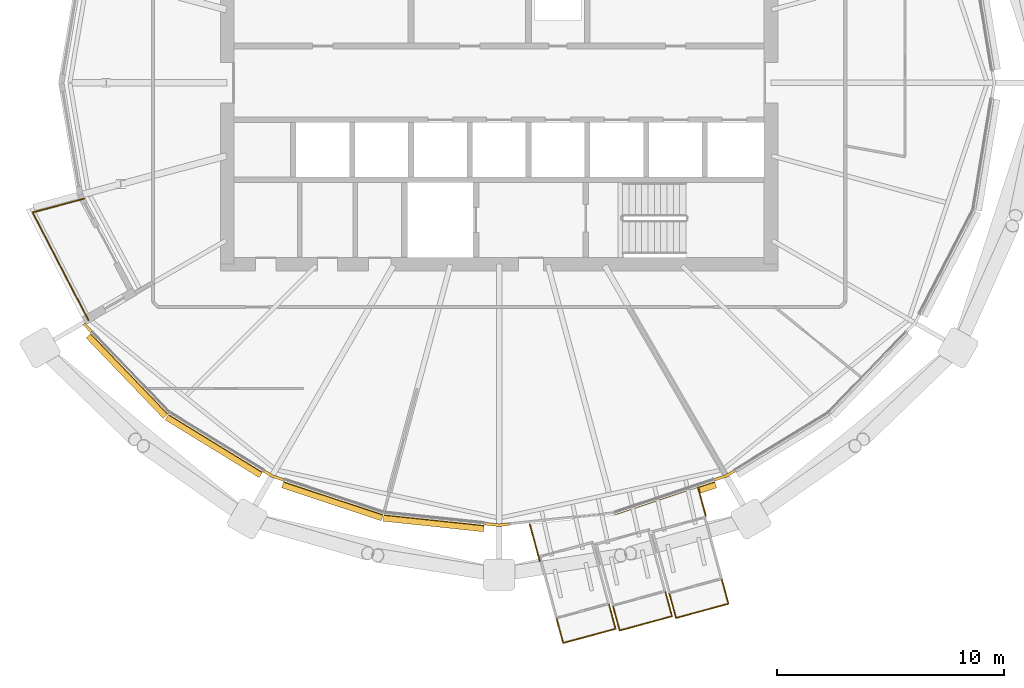
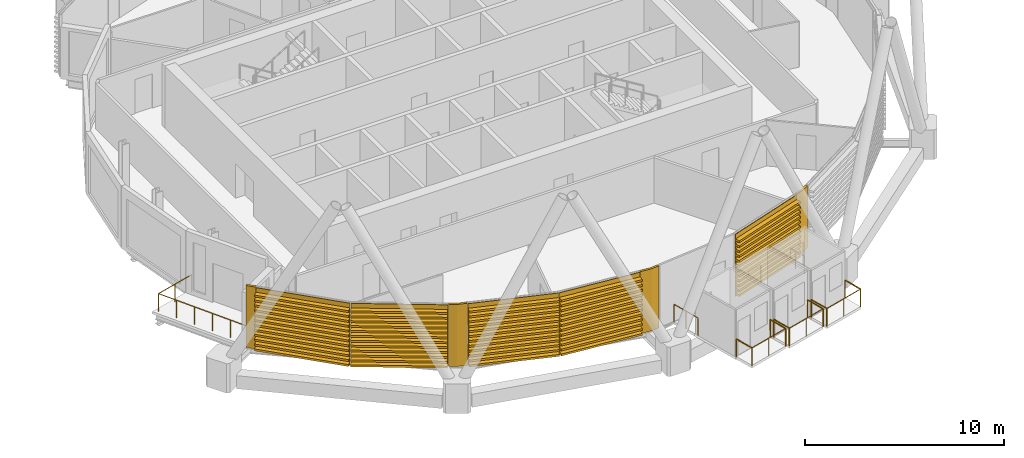
# One storey, part 30 of 35: 12 railings, 9 coverings.
"""IFC4 building model written with IfcOpenShell, lengths in metres."""

import ifcopenshell
import ifcopenshell.guid

model = None  # the IFC model being written
_history = None  # IfcOwnerHistory: only IFC2X3 demands one
_inside = {}  # id of a spatial element -> (the spatial element, [elements in it])
_under = {}  # id of a project, library or spatial element -> (it, [spatial elements below it])
_declared = {}  # id of a project -> (the project, [libraries it declares])
_typed = {}  # id of a type object -> (the type object, [elements of that type])
_made_of = {}  # id of a material, layer set ... -> (it, [elements and type objects made of it])


def new_model(schema):
    """Start an empty IFC model of exactly this schema.

    Asked for "IFC4X3", IfcOpenShell would pick the latest addendum, in which some entities
    have other attributes; the version numbers below select the first issue.
    IFC2X3 requires an IfcOwnerHistory on every rooted entity: one is made here for all.
    """
    global model, _history
    if schema == "IFC4X3":
        model = ifcopenshell.file(schema_version=(4, 3, 0, 0))
    else:
        model = ifcopenshell.file(schema=schema)
    _inside.clear()
    _under.clear()
    _declared.clear()
    _typed.clear()
    _made_of.clear()
    _history = None
    if model.schema == "IFC2X3":
        org = make("IfcOrganization", Name="unknown")
        user = make(
            "IfcPersonAndOrganization",
            ThePerson=make("IfcPerson", FamilyName="unknown"),
            TheOrganization=org,
        )
        app = make(
            "IfcApplication",
            ApplicationDeveloper=org,
            Version="unknown",
            ApplicationFullName="unknown",
            ApplicationIdentifier="unknown",
        )
        _history = make(
            "IfcOwnerHistory",
            OwningUser=user,
            OwningApplication=app,
            ChangeAction="ADDED",
            CreationDate=0,
        )
    return model


def make(cls, **values):
    """One entity of the class cls with the attributes given. An attribute that is None is left unset."""
    return model.create_entity(
        cls, **{name: value for name, value in values.items() if value is not None}
    )


def rooted(cls, **values):
    """An entity with a GlobalId (a new one), such as an element, a storey or a relation."""
    return make(cls, GlobalId=ifcopenshell.guid.new(), OwnerHistory=_history, **values)


def si_unit(unit_type, name, prefix=None):
    """IfcSIUnit, for example si_unit("LENGTHUNIT", "METRE", prefix="MILLI")."""
    return make("IfcSIUnit", UnitType=unit_type, Prefix=prefix, Name=name)


def assignment(units):
    """IfcUnitAssignment: the units of a project."""
    return None if units is None else make("IfcUnitAssignment", Units=units)


def point(xyz):
    """IfcCartesianPoint."""
    return None if xyz is None else make("IfcCartesianPoint", Coordinates=xyz)


def direction(xyz):
    """IfcDirection."""
    return None if xyz is None else make("IfcDirection", DirectionRatios=xyz)


def frame(location, z_axis=None, x_axis=None):
    """IfcAxis2Placement3D, a coordinate frame: its origin and axes. An axis left out is left unset."""
    return make(
        "IfcAxis2Placement3D",
        Location=point(location),
        Axis=direction(z_axis),
        RefDirection=direction(x_axis),
    )


def frame_2d(location, x_axis=None):
    """IfcAxis2Placement2D, a coordinate frame in the plane: its origin and x axis."""
    return make(
        "IfcAxis2Placement2D", Location=point(location), RefDirection=direction(x_axis)
    )


def origin():
    """The frame at (0, 0, 0) with its axes left unset."""
    return frame((0.0, 0.0, 0.0))


def origin_2d():
    """The frame at (0, 0) in the plane with its x axis left unset."""
    return frame_2d((0.0, 0.0))


def place(relative_to, where):
    """IfcLocalPlacement: puts the frame where relative to a parent placement (None: the world)."""
    return make(
        "IfcLocalPlacement", PlacementRelTo=relative_to, RelativePlacement=where
    )


def context(
    kind, dimensions, precision=None, world=None, true_north=None, identifier=None
):
    """IfcGeometricRepresentationContext, for example the 3D "Model" context."""
    return make(
        "IfcGeometricRepresentationContext",
        ContextIdentifier=identifier,
        ContextType=kind,
        CoordinateSpaceDimension=dimensions,
        Precision=precision,
        WorldCoordinateSystem=world,
        TrueNorth=true_north,
    )


def subcontext(parent, identifier, kind, view, scale=None):
    """IfcGeometricRepresentationSubContext, for example "Body" below "Model"."""
    return make(
        "IfcGeometricRepresentationSubContext",
        ContextIdentifier=identifier,
        ContextType=kind,
        ParentContext=parent,
        TargetScale=scale,
        TargetView=view,
    )


def project(units=None, contexts=None):
    """IfcProject with its units and contexts."""
    return rooted(
        "IfcProject",
        Name="project",
        RepresentationContexts=contexts,
        UnitsInContext=assignment(units),
    )


def spatial(cls, under=None, at=None, **own):
    """A site, building, storey or space (cls), placed at a placement, below another one or the project."""
    s = rooted(cls, ObjectPlacement=at, **own)
    if under is not None:
        _under.setdefault(under.id(), (under, []))[1].append(s)
    return s


def polyline(points):
    """IfcPolyline through the points."""
    return make("IfcPolyline", Points=[point(p) for p in points])


def profile(cls, at=None, kind="AREA", **sizes):
    """A parametric profile (cls). Its sizes go by their IFC names, for example OverallWidth=200.0."""
    return make(cls, ProfileType=kind, Position=at, **sizes)


def circle(**sizes):
    """IfcCircleProfileDef."""
    return profile("IfcCircleProfileDef", **sizes)


def outline(outer, holes=None, kind="AREA"):
    """IfcArbitraryClosedProfileDef: a profile drawn as a closed curve; with holes, ...WithVoids."""
    if holes is None:
        return make("IfcArbitraryClosedProfileDef", ProfileType=kind, OuterCurve=outer)
    return make(
        "IfcArbitraryProfileDefWithVoids",
        ProfileType=kind,
        OuterCurve=outer,
        InnerCurves=holes,
    )


def extrude(swept, where, along, depth):
    """IfcExtrudedAreaSolid: the profile swept, set in the frame where, extruded along a direction by depth."""
    return make(
        "IfcExtrudedAreaSolid",
        SweptArea=swept,
        Position=where,
        ExtrudedDirection=direction(along),
        Depth=depth,
    )


def shape(context_of_items, identifier, shape_type, items):
    """IfcShapeRepresentation: the items that make up one representation, for example the "Body"."""
    return make(
        "IfcShapeRepresentation",
        ContextOfItems=context_of_items,
        RepresentationIdentifier=identifier,
        RepresentationType=shape_type,
        Items=items,
    )


def material(Name=None, Category=None):
    """IfcMaterial."""
    return make("IfcMaterial", Name=Name, Category=Category)


def layer(
    of_material, thickness, ventilated=None, Name=None, Category=None, Priority=None
):
    """IfcMaterialLayer: one layer of a wall or slab, of a material (None: an air gap)."""
    return make(
        "IfcMaterialLayer",
        Material=of_material,
        LayerThickness=thickness,
        IsVentilated=ventilated,
        Name=Name,
        Category=Category,
        Priority=Priority,
    )


def layer_set(layers, Name=None):
    """IfcMaterialLayerSet."""
    return make("IfcMaterialLayerSet", MaterialLayers=layers, LayerSetName=Name)


def material_profile(
    of_material, cross_section, Name=None, Category=None, Priority=None
):
    """IfcMaterialProfile: a cross section and its material."""
    return make(
        "IfcMaterialProfile",
        Name=Name,
        Material=of_material,
        Profile=cross_section,
        Priority=Priority,
        Category=Category,
    )


def profile_set(profiles, Name=None, composite=None):
    """IfcMaterialProfileSet."""
    return make(
        "IfcMaterialProfileSet",
        Name=Name,
        MaterialProfiles=profiles,
        CompositeProfile=composite,
    )


def made_of(thing, what):
    """Note that an element or type object is made of a material, layer set ...; save() writes the relation."""
    if what is not None:
        _made_of.setdefault(what.id(), (what, []))[1].append(thing)
    return thing


def type_object(cls, material=None, **own):
    """A type object (cls), such as IfcWallType, which elements share."""
    return made_of(rooted(cls, **own), material)


def element(
    cls,
    number,
    at=None,
    inside=None,
    cuts=None,
    type_object=None,
    material=None,
    context=None,
    identifier="Body",
    shape_type=None,
    held_by="IfcProductDefinitionShape",
    body=None,
    shapes=None,
    **own,
):
    """One element of the class cls, such as IfcWall. Its Tag is "e" and its number.

    at: its placement. inside: the storey or other place that contains it. cuts: it is an
    opening in that element (IfcRelVoidsElement). A single representation is given by context,
    identifier, shape_type and body (its items); several are given by shapes. held_by: the class
    of the entity that holds the representations. save() writes the other relations.
    """
    e = rooted(cls, Tag="e%d" % number, ObjectPlacement=at, **own)
    if body is not None:
        shapes = [shape(context, identifier, shape_type, body)]
    if shapes is not None:
        e.Representation = make(held_by, Representations=shapes)
    if inside is not None:
        _inside.setdefault(inside.id(), (inside, []))[1].append(e)
    if cuts is not None:
        rooted(
            "IfcRelVoidsElement", RelatingBuildingElement=cuts, RelatedOpeningElement=e
        )
    if type_object is not None:
        _typed.setdefault(type_object.id(), (type_object, []))[1].append(e)
    return made_of(e, material)


def aggregate(whole, parts):
    """IfcRelAggregates: a whole, such as a stair, and the parts it consists of."""
    return rooted("IfcRelAggregates", RelatingObject=whole, RelatedObjects=parts)


def save(model, path):
    """Write the relations noted so far, then the file.

    IfcRelAggregates (storeys below a building ...), IfcRelContainedInSpatialStructure (elements
    in a storey), IfcRelDefinesByType, IfcRelAssociatesMaterial and IfcRelDeclares: one each for
    every whole, place, type object, material and project.
    """
    for whole, parts in _under.values():
        aggregate(whole, parts)
    for where, things in _inside.values():
        rooted(
            "IfcRelContainedInSpatialStructure",
            RelatedElements=things,
            RelatingStructure=where,
        )
    for kind, things in _typed.values():
        rooted("IfcRelDefinesByType", RelatedObjects=things, RelatingType=kind)
    for what, things in _made_of.values():
        rooted("IfcRelAssociatesMaterial", RelatedObjects=things, RelatingMaterial=what)
    for by, libraries in _declared.values():
        rooted("IfcRelDeclares", RelatingContext=by, RelatedDefinitions=libraries)
    model.write(path)


model = new_model("IFC4")

# Units and contexts
model_context = context("Model", 3, precision=1e-05, world=origin(), true_north=direction((0.0, 1.0)))
body_context = subcontext(model_context, "Body", "Model", "MODEL_VIEW")
ifc_project = project(units=[si_unit("LENGTHUNIT", "METRE"), si_unit("AREAUNIT", "SQUARE_METRE"), si_unit("VOLUMEUNIT", "CUBIC_METRE"), si_unit("PLANEANGLEUNIT", "RADIAN"), si_unit("MASSUNIT", "GRAM", prefix="KILO")], contexts=[model_context])

# Site, building, storey
site_placement = place(None, origin())
site = spatial("IfcSite", under=ifc_project, at=site_placement, CompositionType="ELEMENT")
building_placement = place(site_placement, origin())
building = spatial("IfcBuilding", under=site, at=building_placement, Name="Rimbun Link Towers", CompositionType="ELEMENT")
storey_placement = place(building_placement, frame((0.0, 0.0, 181.699951171875)))
storey = spatial("IfcBuildingStorey", under=building, at=storey_placement, Name="L44", CompositionType="ELEMENT", Elevation=181.699951171875)

# Railings
ifc_material_1 = material(Name="Stainless steel grade 316", Category="steel")
railing_type = type_object("IfcRailingType", Name="GUARD stainless rail and posts", PredefinedType="GUARDRAIL", material=ifc_material_1)
railing_1_placement = place(storey_placement, frame((-50.06787109375, -5.115234375, 0.0)))
element("IfcRailing", 1, at=railing_1_placement, inside=storey, type_object=railing_type, Name="GUARD", PredefinedType="GUARDRAIL", context=body_context, shape_type="SweptSolid", body=[
    extrude(circle(Radius=0.02392578125, at=origin_2d()), frame((0.0, 0.0, 1.076171875), z_axis=(-0.965918852207, -0.258845071327, 0.0), x_axis=(0.258845071327, -0.965918852207, 0.0)), (0.0, 0.0, 1.0), 2.351318359375),
    extrude(circle(Radius=0.02392578125, at=origin_2d()), frame((-2.271240234375, -0.608642578125, 1.076171875), z_axis=(0.45954079572, -0.888156662458, 0.0), x_axis=(0.888156662458, 0.45954079572, 0.0)), (0.0, 0.0, 1.0), 5.3525390625),
    extrude(circle(Radius=0.02099609375, at=origin_2d()), origin(), (0.0, 0.0, 1.0), 1.052001953125),
    extrude(circle(Radius=0.02099609375, at=origin_2d()), frame((-1.1357421875, -0.30419921875, 0.0)), (0.0, 0.0, 1.0), 1.052001953125),
    extrude(circle(Radius=0.02099609375, at=origin_2d()), frame((-2.271240234375, -0.608642578125, 0.0)), (0.0, 0.0, 1.0), 1.052001953125),
    extrude(circle(Radius=0.02099609375, at=origin_2d()), frame((-1.779296875, -1.559326171875, 0.0)), (0.0, 0.0, 1.0), 1.052001953125),
    extrude(circle(Radius=0.02099609375, at=origin_2d()), frame((-1.287353515625, -2.51025390625, 0.0)), (0.0, 0.0, 1.0), 1.052001953125),
    extrude(circle(Radius=0.02099609375, at=origin_2d()), frame((-0.79541015625, -3.4609375, 0.0)), (0.0, 0.0, 1.0), 1.052001953125),
    extrude(circle(Radius=0.02099609375, at=origin_2d()), frame((-0.303466796875, -4.411865234375, 0.0)), (0.0, 0.0, 1.0), 1.052001953125),
    extrude(circle(Radius=0.02099609375, at=origin_2d()), frame((0.1884765625, -5.362548828125, 0.0)), (0.0, 0.0, 1.0), 1.052001953125),
])
railing_2_placement = place(storey_placement, frame((-24.233154296875, -22.56103515625, 0.0)))
element("IfcRailing", 2, at=railing_2_placement, inside=storey, type_object=railing_type, Name="GUARD D441.01 balcony", PredefinedType="GUARDRAIL", context=body_context, shape_type="SweptSolid", body=[
    extrude(circle(Radius=0.02392578125, at=origin_2d()), frame((0.0, 0.0, 1.076171875), z_axis=(0.261915191828, -0.965090893279, 0.0), x_axis=(0.965090893279, 0.261915191828, 0.0)), (0.0, 0.0, 1.0), 1.099853515625),
    extrude(circle(Radius=0.02099609375, at=origin_2d()), origin(), (0.0, 0.0, 1.0), 1.052001953125),
    extrude(circle(Radius=0.02099609375, at=origin_2d()), frame((0.2880859375, -1.0615234375, 0.0)), (0.0, 0.0, 1.0), 1.052001953125),
])
railing_3_placement = place(storey_placement, frame((-23.945068359375, -23.62255859375, 0.0)))
element("IfcRailing", 3, at=railing_3_placement, inside=storey, type_object=railing_type, Name="GUARD D441.01 balcony", PredefinedType="GUARDRAIL", context=body_context, shape_type="SweptSolid", body=[
    extrude(circle(Radius=0.02392578125, at=origin_2d()), frame((0.0, 0.0, 1.076171875), z_axis=(0.965108089312, 0.261851820585, 0.0), x_axis=(-0.261851820585, 0.965108089312, 0.0)), (0.0, 0.0, 1.0), 2.39990234375),
    extrude(circle(Radius=0.02099609375, at=origin_2d()), origin(), (0.0, 0.0, 1.0), 1.052001953125),
    extrude(circle(Radius=0.02099609375, at=origin_2d()), frame((1.158203125, 0.314208984375, 0.0)), (0.0, 0.0, 1.0), 1.052001953125),
    extrude(circle(Radius=0.02099609375, at=origin_2d()), frame((2.316162109375, 0.62841796875, 0.0)), (0.0, 0.0, 1.0), 1.052001953125),
])
railing_4_placement = place(storey_placement, frame((-21.62890625, -22.994140625, 0.0)))
element("IfcRailing", 4, at=railing_4_placement, inside=storey, type_object=railing_type, Name="GUARD D441.01 balcony", PredefinedType="GUARDRAIL", context=body_context, shape_type="SweptSolid", body=[
    extrude(circle(Radius=0.02392578125, at=origin_2d()), frame((0.0, 0.0, 1.076171875), z_axis=(-0.261915191828, 0.965090893279, 0.0), x_axis=(-0.965090893279, -0.261915191828, 0.0)), (0.0, 0.0, 1.0), 1.099853515625),
    extrude(circle(Radius=0.02099609375, at=origin_2d()), origin(), (0.0, 0.0, 1.0), 1.052001953125),
    extrude(circle(Radius=0.02099609375, at=origin_2d()), frame((-0.2880859375, 1.0615234375, 0.0)), (0.0, 0.0, 1.0), 1.052001953125),
])
railing_5_placement = place(storey_placement, frame((-26.72265625, -23.11328125, 0.0)))
element("IfcRailing", 5, at=railing_5_placement, inside=storey, type_object=railing_type, Name="GUARD D441.02 balcony", PredefinedType="GUARDRAIL", context=body_context, shape_type="SweptSolid", body=[
    extrude(circle(Radius=0.02392578125, at=origin_2d()), frame((0.0, 0.0, 1.076171875), z_axis=(0.261915191828, -0.965090893279, 0.0), x_axis=(0.965090893279, 0.261915191828, 0.0)), (0.0, 0.0, 1.0), 1.099853515625),
    extrude(circle(Radius=0.02099609375, at=origin_2d()), origin(), (0.0, 0.0, 1.0), 1.052001953125),
    extrude(circle(Radius=0.02099609375, at=origin_2d()), frame((0.2880859375, -1.0615234375, 0.0)), (0.0, 0.0, 1.0), 1.052001953125),
])
railing_6_placement = place(storey_placement, frame((-26.4345703125, -24.1748046875, 0.0)))
element("IfcRailing", 6, at=railing_6_placement, inside=storey, type_object=railing_type, Name="GUARD D441.02 balcony", PredefinedType="GUARDRAIL", context=body_context, shape_type="SweptSolid", body=[
    extrude(circle(Radius=0.02392578125, at=origin_2d()), frame((0.0, 0.0, 1.076171875), z_axis=(0.965108089312, 0.261851820585, 0.0), x_axis=(-0.261851820585, 0.965108089312, 0.0)), (0.0, 0.0, 1.0), 2.39990234375),
    extrude(circle(Radius=0.02099609375, at=origin_2d()), origin(), (0.0, 0.0, 1.0), 1.052001953125),
    extrude(circle(Radius=0.02099609375, at=origin_2d()), frame((1.158203125, 0.314208984375, 0.0)), (0.0, 0.0, 1.0), 1.052001953125),
    extrude(circle(Radius=0.02099609375, at=origin_2d()), frame((2.316162109375, 0.62841796875, 0.0)), (0.0, 0.0, 1.0), 1.052001953125),
])
railing_7_placement = place(storey_placement, frame((-24.118408203125, -23.54638671875, 0.0)))
element("IfcRailing", 7, at=railing_7_placement, inside=storey, type_object=railing_type, Name="GUARD D441.02 balcony", PredefinedType="GUARDRAIL", context=body_context, shape_type="SweptSolid", body=[
    extrude(circle(Radius=0.02392578125, at=origin_2d()), frame((0.0, 0.0, 1.076171875), z_axis=(-0.261915191828, 0.965090893279, 0.0), x_axis=(-0.965090893279, -0.261915191828, 0.0)), (0.0, 0.0, 1.0), 1.099853515625),
    extrude(circle(Radius=0.02099609375, at=origin_2d()), origin(), (0.0, 0.0, 1.0), 1.052001953125),
    extrude(circle(Radius=0.02099609375, at=origin_2d()), frame((-0.2880859375, 1.0615234375, 0.0)), (0.0, 0.0, 1.0), 1.052001953125),
])
railing_8_placement = place(storey_placement, frame((-29.212158203125, -23.665283203125, 0.0)))
element("IfcRailing", 8, at=railing_8_placement, inside=storey, type_object=railing_type, Name="GUARD D441.03 balcony", PredefinedType="GUARDRAIL", context=body_context, shape_type="SweptSolid", body=[
    extrude(circle(Radius=0.02392578125, at=origin_2d()), frame((0.0, 0.0, 1.076171875), z_axis=(0.261859097624, -0.965106114887, 0.0), x_axis=(0.965106114887, 0.261859097624, 0.0)), (0.0, 0.0, 1.0), 1.10009765625),
    extrude(circle(Radius=0.02099609375, at=origin_2d()), origin(), (0.0, 0.0, 1.0), 1.052001953125),
    extrude(circle(Radius=0.02099609375, at=origin_2d()), frame((0.2880859375, -1.061767578125, 0.0)), (0.0, 0.0, 1.0), 1.052001953125),
])
railing_9_placement = place(storey_placement, frame((-28.924072265625, -24.72705078125, 0.0)))
element("IfcRailing", 9, at=railing_9_placement, inside=storey, type_object=railing_type, Name="GUARD D441.03 balcony", PredefinedType="GUARDRAIL", context=body_context, shape_type="SweptSolid", body=[
    extrude(circle(Radius=0.02392578125, at=origin_2d()), frame((0.0, 0.0, 1.076171875), z_axis=(0.965108089312, 0.261851820585, 0.0), x_axis=(-0.261851820585, 0.965108089312, 0.0)), (0.0, 0.0, 1.0), 2.39990234375),
    extrude(circle(Radius=0.02099609375, at=origin_2d()), origin(), (0.0, 0.0, 1.0), 1.052001953125),
    extrude(circle(Radius=0.02099609375, at=origin_2d()), frame((1.158203125, 0.314208984375, 0.0)), (0.0, 0.0, 1.0), 1.052001953125),
    extrude(circle(Radius=0.02099609375, at=origin_2d()), frame((2.316162109375, 0.62841796875, 0.0)), (0.0, 0.0, 1.0), 1.052001953125),
])
railing_10_placement = place(storey_placement, frame((-26.60791015625, -24.0986328125, 0.0)))
element("IfcRailing", 10, at=railing_10_placement, inside=storey, type_object=railing_type, Name="GUARD D441.03 balcony", PredefinedType="GUARDRAIL", context=body_context, shape_type="SweptSolid", body=[
    extrude(circle(Radius=0.02392578125, at=origin_2d()), frame((0.0, 0.0, 1.076171875), z_axis=(-0.261859097624, 0.965106114887, 0.0), x_axis=(-0.965106114887, -0.261859097624, 0.0)), (0.0, 0.0, 1.0), 1.10009765625),
    extrude(circle(Radius=0.02099609375, at=origin_2d()), origin(), (0.0, 0.0, 1.0), 1.052001953125),
    extrude(circle(Radius=0.02099609375, at=origin_2d()), frame((-0.2880859375, 1.061767578125, 0.0)), (0.0, 0.0, 1.0), 1.052001953125),
])
railing_11_placement = place(storey_placement, frame((-22.6279296875, -19.12060546875, 0.0)))
element("IfcRailing", 11, at=railing_11_placement, inside=storey, type_object=railing_type, Name="GUARD D441 gallery", PredefinedType="GUARDRAIL", context=body_context, shape_type="SweptSolid", body=[
    extrude(circle(Radius=0.02392578125, at=origin_2d()), frame((0.0, 0.0, 1.076171875), z_axis=(-0.261900956182, 0.965094756566, 0.0), x_axis=(-0.965094756566, -0.261900956182, 0.0)), (0.0, 0.0, 1.0), 1.307861328125),
    extrude(circle(Radius=0.02099609375, at=origin_2d()), origin(), (0.0, 0.0, 1.0), 1.052001953125),
    extrude(circle(Radius=0.02099609375, at=origin_2d()), frame((-0.17138671875, 0.631103515625, 0.0)), (0.0, 0.0, 1.0), 1.052001953125),
    extrude(circle(Radius=0.02099609375, at=origin_2d()), frame((-0.342529296875, 1.26220703125, 0.0)), (0.0, 0.0, 1.0), 1.052001953125),
])
railing_12_placement = place(storey_placement, frame((-29.95751953125, -21.109130859375, 0.0)))
element("IfcRailing", 12, at=railing_12_placement, inside=storey, type_object=railing_type, Name="GUARD D441 gallery", PredefinedType="GUARDRAIL", context=body_context, shape_type="SweptSolid", body=[
    extrude(circle(Radius=0.02392578125, at=origin_2d()), frame((0.0, 0.0, 1.076171875), z_axis=(-0.261789775095, 0.96512492127, 0.0), x_axis=(-0.96512492127, -0.261789775095, 0.0)), (0.0, 0.0, 1.0), 1.6962890625),
    extrude(circle(Radius=0.02099609375, at=origin_2d()), origin(), (0.0, 0.0, 1.0), 1.052001953125),
    extrude(circle(Radius=0.02099609375, at=origin_2d()), frame((-0.22216796875, 0.818603515625, 0.0)), (0.0, 0.0, 1.0), 1.052001953125),
    extrude(circle(Radius=0.02099609375, at=origin_2d()), frame((-0.444091796875, 1.63720703125, 0.0)), (0.0, 0.0, 1.0), 1.052001953125),
])

# Coverings
ifc_material_2 = material(Name="Terracotta", Category="masonry")
ifc_layer = layer(ifc_material_2, 0.1201171875)
ifc_layer_set = layer_set([ifc_layer], Name="LINK PIER terracotta cladding 120")
covering_type_1 = type_object("IfcCoveringType", Name="LINK PIER terracotta cladding 120", PredefinedType="CLADDING", material=ifc_layer_set)
covering_1_placement = place(storey_placement, origin())
element("IfcCovering", 13, at=covering_1_placement, inside=storey, type_object=covering_type_1, Name="LINK PIER cladding", PredefinedType="CLADDING", context=body_context, shape_type="SweptSolid", body=[
    extrude(outline(polyline([(-49.697021484375, -10.945068359375), (-50.0361328125, -10.59130859375), (-50.122802734375, -10.67431640625), (-49.78369140625, -11.028076171875), (-49.697021484375, -10.945068359375)])), origin(), (0.0, 0.0, 1.0), 3.800048828125),
])
covering_2_placement = place(storey_placement, origin())
element("IfcCovering", 14, at=covering_2_placement, inside=storey, type_object=covering_type_1, Name="LINK PIER cladding", PredefinedType="CLADDING", context=body_context, shape_type="SweptSolid", body=[
    extrude(outline(polyline([(-41.24560546875, -17.465087890625), (-41.739013671875, -17.301513671875), (-42.096923828125, -17.081787109375), (-42.159912109375, -17.18408203125), (-41.7900390625, -17.4111328125), (-41.283203125, -17.5791015625), (-41.24560546875, -17.465087890625)])), origin(), (0.0, 0.0, 1.0), 3.800048828125),
])
covering_3_placement = place(storey_placement, origin())
element("IfcCovering", 15, at=covering_3_placement, inside=storey, type_object=covering_type_1, Name="LINK PIER cladding", PredefinedType="CLADDING", context=body_context, shape_type="SweptSolid", body=[
    extrude(outline(polyline([(-31.332275390625, -19.421142578125), (-31.75, -19.465087890625), (-32.36669921875, -19.400146484375), (-32.379150390625, -19.51953125), (-31.75, -19.5859375), (-31.31982421875, -19.54052734375), (-31.332275390625, -19.421142578125)])), origin(), (0.0, 0.0, 1.0), 3.800048828125),
])
covering_4_placement = place(storey_placement, origin())
element("IfcCovering", 16, at=covering_4_placement, inside=storey, type_object=covering_type_1, Name="LINK PIER cladding", PredefinedType="CLADDING", context=body_context, shape_type="SweptSolid", body=[
    extrude(outline(polyline([(-21.403076171875, -17.081787109375), (-21.760986328125, -17.301513671875), (-22.25439453125, -17.465087890625), (-22.216796875, -17.5791015625), (-21.7099609375, -17.4111328125), (-21.340087890625, -17.18408203125), (-21.403076171875, -17.081787109375)])), origin(), (0.0, 0.0, 1.0), 3.800048828125),
])
ifc_material_3 = material(Name="Terracotta", Category="masonry")
ifc_material_profile = material_profile(ifc_material_3, outline(polyline([(0.123046875, 0.0), (0.1630859375, 0.0), (0.1630859375, 0.10009765625), (0.423095703125, 0.10009765625), (0.423095703125, 0.219970703125), (0.1630859375, 0.219970703125), (0.1630859375, 0.39990234375), (0.423095703125, 0.39990234375), (0.423095703125, 0.52001953125), (0.1630859375, 0.52001953125), (0.1630859375, 0.699951171875), (0.423095703125, 0.699951171875), (0.423095703125, 0.820068359375), (0.1630859375, 0.820068359375), (0.1630859375, 1.0), (0.423095703125, 1.0), (0.423095703125, 1.1201171875), (0.1630859375, 1.1201171875), (0.1630859375, 1.300048828125), (0.423095703125, 1.300048828125), (0.423095703125, 1.419921875), (0.1630859375, 1.419921875), (0.1630859375, 1.60009765625), (0.423095703125, 1.60009765625), (0.423095703125, 1.719970703125), (0.1630859375, 1.719970703125), (0.1630859375, 1.89990234375), (0.423095703125, 1.89990234375), (0.423095703125, 2.02001953125), (0.1630859375, 2.02001953125), (0.1630859375, 2.199951171875), (0.423095703125, 2.199951171875), (0.423095703125, 2.320068359375), (0.1630859375, 2.320068359375), (0.1630859375, 2.5), (0.423095703125, 2.5), (0.423095703125, 2.6201171875), (0.1630859375, 2.6201171875), (0.1630859375, 2.800048828125), (0.423095703125, 2.800048828125), (0.423095703125, 2.919921875), (0.1630859375, 2.919921875), (0.1630859375, 3.10009765625), (0.423095703125, 3.10009765625), (0.423095703125, 3.219970703125), (0.1630859375, 3.219970703125), (0.1630859375, 3.39990234375), (0.423095703125, 3.39990234375), (0.423095703125, 3.52001953125), (0.1630859375, 3.52001953125), (0.1630859375, 3.800048828125), (0.123046875, 3.800048828125), (0.123046875, 0.0)])), Name="BAGUETTE 120X300")
ifc_profile_set = profile_set([ifc_material_profile], Name="Terracotta")
covering_type_2 = type_object("IfcCoveringType", Name="TERRACOTTA BAGUETTE 120X300 H3800", PredefinedType="CLADDING", material=ifc_profile_set)
covering_5_placement = place(storey_placement, frame((-46.269775390625, -14.519775390625, 0.0), z_axis=(-0.692045392542, 0.721853984308, 0.0), x_axis=(-0.721853984308, -0.692045392542, 0.0)))
element("IfcCovering", 17, at=covering_5_placement, inside=storey, type_object=covering_type_2, Name="TERRACOTTA BAGUETTE", PredefinedType="CLADDING", context=body_context, shape_type="SweptSolid", body=[
    extrude(outline(polyline([(0.123046875, 0.0), (0.1630859375, 0.0), (0.1630859375, 0.10009765625), (0.423095703125, 0.10009765625), (0.423095703125, 0.219970703125), (0.1630859375, 0.219970703125), (0.1630859375, 0.39990234375), (0.423095703125, 0.39990234375), (0.423095703125, 0.52001953125), (0.1630859375, 0.52001953125), (0.1630859375, 0.699951171875), (0.423095703125, 0.699951171875), (0.423095703125, 0.820068359375), (0.1630859375, 0.820068359375), (0.1630859375, 1.0), (0.423095703125, 1.0), (0.423095703125, 1.1201171875), (0.1630859375, 1.1201171875), (0.1630859375, 1.300048828125), (0.423095703125, 1.300048828125), (0.423095703125, 1.419921875), (0.1630859375, 1.419921875), (0.1630859375, 1.60009765625), (0.423095703125, 1.60009765625), (0.423095703125, 1.719970703125), (0.1630859375, 1.719970703125), (0.1630859375, 1.89990234375), (0.423095703125, 1.89990234375), (0.423095703125, 2.02001953125), (0.1630859375, 2.02001953125), (0.1630859375, 2.199951171875), (0.423095703125, 2.199951171875), (0.423095703125, 2.320068359375), (0.1630859375, 2.320068359375), (0.1630859375, 2.5), (0.423095703125, 2.5), (0.423095703125, 2.6201171875), (0.1630859375, 2.6201171875), (0.1630859375, 2.800048828125), (0.423095703125, 2.800048828125), (0.423095703125, 2.919921875), (0.1630859375, 2.919921875), (0.1630859375, 3.10009765625), (0.423095703125, 3.10009765625), (0.423095703125, 3.219970703125), (0.1630859375, 3.219970703125), (0.1630859375, 3.39990234375), (0.423095703125, 3.39990234375), (0.423095703125, 3.52001953125), (0.1630859375, 3.52001953125), (0.1630859375, 3.800048828125), (0.123046875, 3.800048828125), (0.123046875, 0.0)])), origin(), (0.0, 0.0, 1.0), 4.92236328125),
])
covering_6_placement = place(storey_placement, frame((-42.12255859375, -17.066162109375, 0.0), z_axis=(-0.852184961331, 0.523240663253, 0.0), x_axis=(-0.523240663253, -0.852184961331, 0.0)))
element("IfcCovering", 18, at=covering_6_placement, inside=storey, type_object=covering_type_2, Name="TERRACOTTA BAGUETTE", PredefinedType="CLADDING", context=body_context, shape_type="SweptSolid", body=[
    extrude(outline(polyline([(0.123046875, 0.0), (0.1630859375, 0.0), (0.1630859375, 0.10009765625), (0.423095703125, 0.10009765625), (0.423095703125, 0.219970703125), (0.1630859375, 0.219970703125), (0.1630859375, 0.39990234375), (0.423095703125, 0.39990234375), (0.423095703125, 0.52001953125), (0.1630859375, 0.52001953125), (0.1630859375, 0.699951171875), (0.423095703125, 0.699951171875), (0.423095703125, 0.820068359375), (0.1630859375, 0.820068359375), (0.1630859375, 1.0), (0.423095703125, 1.0), (0.423095703125, 1.1201171875), (0.1630859375, 1.1201171875), (0.1630859375, 1.300048828125), (0.423095703125, 1.300048828125), (0.423095703125, 1.419921875), (0.1630859375, 1.419921875), (0.1630859375, 1.60009765625), (0.423095703125, 1.60009765625), (0.423095703125, 1.719970703125), (0.1630859375, 1.719970703125), (0.1630859375, 1.89990234375), (0.423095703125, 1.89990234375), (0.423095703125, 2.02001953125), (0.1630859375, 2.02001953125), (0.1630859375, 2.199951171875), (0.423095703125, 2.199951171875), (0.423095703125, 2.320068359375), (0.1630859375, 2.320068359375), (0.1630859375, 2.5), (0.423095703125, 2.5), (0.423095703125, 2.6201171875), (0.1630859375, 2.6201171875), (0.1630859375, 2.800048828125), (0.423095703125, 2.800048828125), (0.423095703125, 2.919921875), (0.1630859375, 2.919921875), (0.1630859375, 3.10009765625), (0.423095703125, 3.10009765625), (0.423095703125, 3.219970703125), (0.1630859375, 3.219970703125), (0.1630859375, 3.39990234375), (0.423095703125, 3.39990234375), (0.423095703125, 3.52001953125), (0.1630859375, 3.52001953125), (0.1630859375, 3.800048828125), (0.123046875, 3.800048828125), (0.123046875, 0.0)])), origin(), (0.0, 0.0, 1.0), 4.866455078125),
])
covering_7_placement = place(storey_placement, frame((-36.822509765625, -18.930908203125, 0.0), z_axis=(-0.949235564432, 0.314566118991, 0.0), x_axis=(-0.314566118991, -0.949235564432, 0.0)))
element("IfcCovering", 19, at=covering_7_placement, inside=storey, type_object=covering_type_2, Name="TERRACOTTA BAGUETTE", PredefinedType="CLADDING", context=body_context, shape_type="SweptSolid", body=[
    extrude(outline(polyline([(0.123046875, 0.0), (0.1630859375, 0.0), (0.1630859375, 0.10009765625), (0.423095703125, 0.10009765625), (0.423095703125, 0.219970703125), (0.1630859375, 0.219970703125), (0.1630859375, 0.39990234375), (0.423095703125, 0.39990234375), (0.423095703125, 0.52001953125), (0.1630859375, 0.52001953125), (0.1630859375, 0.699951171875), (0.423095703125, 0.699951171875), (0.423095703125, 0.820068359375), (0.1630859375, 0.820068359375), (0.1630859375, 1.0), (0.423095703125, 1.0), (0.423095703125, 1.1201171875), (0.1630859375, 1.1201171875), (0.1630859375, 1.300048828125), (0.423095703125, 1.300048828125), (0.423095703125, 1.419921875), (0.1630859375, 1.419921875), (0.1630859375, 1.60009765625), (0.423095703125, 1.60009765625), (0.423095703125, 1.719970703125), (0.1630859375, 1.719970703125), (0.1630859375, 1.89990234375), (0.423095703125, 1.89990234375), (0.423095703125, 2.02001953125), (0.1630859375, 2.02001953125), (0.1630859375, 2.199951171875), (0.423095703125, 2.199951171875), (0.423095703125, 2.320068359375), (0.1630859375, 2.320068359375), (0.1630859375, 2.5), (0.423095703125, 2.5), (0.423095703125, 2.6201171875), (0.1630859375, 2.6201171875), (0.1630859375, 2.800048828125), (0.423095703125, 2.800048828125), (0.423095703125, 2.919921875), (0.1630859375, 2.919921875), (0.1630859375, 3.10009765625), (0.423095703125, 3.10009765625), (0.423095703125, 3.219970703125), (0.1630859375, 3.219970703125), (0.1630859375, 3.39990234375), (0.423095703125, 3.39990234375), (0.423095703125, 3.52001953125), (0.1630859375, 3.52001953125), (0.1630859375, 3.800048828125), (0.123046875, 3.800048828125), (0.123046875, 0.0)])), origin(), (0.0, 0.0, 1.0), 4.629638671875),
])
covering_8_placement = place(storey_placement, frame((-32.396484375, -19.397216796875, 0.0), z_axis=(-0.994495830027, 0.104776161694, 0.0), x_axis=(-0.104776161694, -0.994495830027, 0.0)))
element("IfcCovering", 20, at=covering_8_placement, inside=storey, type_object=covering_type_2, Name="TERRACOTTA BAGUETTE", PredefinedType="CLADDING", context=body_context, shape_type="SweptSolid", body=[
    extrude(outline(polyline([(0.123046875, 0.0), (0.1630859375, 0.0), (0.1630859375, 0.10009765625), (0.423095703125, 0.10009765625), (0.423095703125, 0.219970703125), (0.1630859375, 0.219970703125), (0.1630859375, 0.39990234375), (0.423095703125, 0.39990234375), (0.423095703125, 0.52001953125), (0.1630859375, 0.52001953125), (0.1630859375, 0.699951171875), (0.423095703125, 0.699951171875), (0.423095703125, 0.820068359375), (0.1630859375, 0.820068359375), (0.1630859375, 1.0), (0.423095703125, 1.0), (0.423095703125, 1.1201171875), (0.1630859375, 1.1201171875), (0.1630859375, 1.300048828125), (0.423095703125, 1.300048828125), (0.423095703125, 1.419921875), (0.1630859375, 1.419921875), (0.1630859375, 1.60009765625), (0.423095703125, 1.60009765625), (0.423095703125, 1.719970703125), (0.1630859375, 1.719970703125), (0.1630859375, 1.89990234375), (0.423095703125, 1.89990234375), (0.423095703125, 2.02001953125), (0.1630859375, 2.02001953125), (0.1630859375, 2.199951171875), (0.423095703125, 2.199951171875), (0.423095703125, 2.320068359375), (0.1630859375, 2.320068359375), (0.1630859375, 2.5), (0.423095703125, 2.5), (0.423095703125, 2.6201171875), (0.1630859375, 2.6201171875), (0.1630859375, 2.800048828125), (0.423095703125, 2.800048828125), (0.423095703125, 2.919921875), (0.1630859375, 2.919921875), (0.1630859375, 3.10009765625), (0.423095703125, 3.10009765625), (0.423095703125, 3.219970703125), (0.1630859375, 3.219970703125), (0.1630859375, 3.39990234375), (0.423095703125, 3.39990234375), (0.423095703125, 3.52001953125), (0.1630859375, 3.52001953125), (0.1630859375, 3.800048828125), (0.123046875, 3.800048828125), (0.123046875, 0.0)])), origin(), (0.0, 0.0, 1.0), 4.450439453125),
])
covering_9_placement = place(storey_placement, frame((-22.282958984375, -17.474609375, 0.0), z_axis=(-0.949235564432, -0.314566118991, 0.0), x_axis=(0.314566118991, -0.949235564432, 0.0)))
element("IfcCovering", 21, at=covering_9_placement, inside=storey, type_object=covering_type_2, Name="TERRACOTTA BAGUETTE", PredefinedType="CLADDING", context=body_context, shape_type="SweptSolid", body=[
    extrude(outline(polyline([(0.123046875, 0.0), (0.1630859375, 0.0), (0.1630859375, 0.10009765625), (0.423095703125, 0.10009765625), (0.423095703125, 0.219970703125), (0.1630859375, 0.219970703125), (0.1630859375, 0.39990234375), (0.423095703125, 0.39990234375), (0.423095703125, 0.52001953125), (0.1630859375, 0.52001953125), (0.1630859375, 0.699951171875), (0.423095703125, 0.699951171875), (0.423095703125, 0.820068359375), (0.1630859375, 0.820068359375), (0.1630859375, 1.0), (0.423095703125, 1.0), (0.423095703125, 1.1201171875), (0.1630859375, 1.1201171875), (0.1630859375, 1.300048828125), (0.423095703125, 1.300048828125), (0.423095703125, 1.419921875), (0.1630859375, 1.419921875), (0.1630859375, 1.60009765625), (0.423095703125, 1.60009765625), (0.423095703125, 1.719970703125), (0.1630859375, 1.719970703125), (0.1630859375, 1.89990234375), (0.423095703125, 1.89990234375), (0.423095703125, 2.02001953125), (0.1630859375, 2.02001953125), (0.1630859375, 2.199951171875), (0.423095703125, 2.199951171875), (0.423095703125, 2.320068359375), (0.1630859375, 2.320068359375), (0.1630859375, 2.5), (0.423095703125, 2.5), (0.423095703125, 2.6201171875), (0.1630859375, 2.6201171875), (0.1630859375, 2.800048828125), (0.423095703125, 2.800048828125), (0.423095703125, 2.919921875), (0.1630859375, 2.919921875), (0.1630859375, 3.10009765625), (0.423095703125, 3.10009765625), (0.423095703125, 3.219970703125), (0.1630859375, 3.219970703125), (0.1630859375, 3.39990234375), (0.423095703125, 3.39990234375), (0.423095703125, 3.52001953125), (0.1630859375, 3.52001953125), (0.1630859375, 3.800048828125), (0.123046875, 3.800048828125), (0.123046875, 0.0)])), origin(), (0.0, 0.0, 1.0), 4.629638671875),
])

save(model, "model.ifc")
